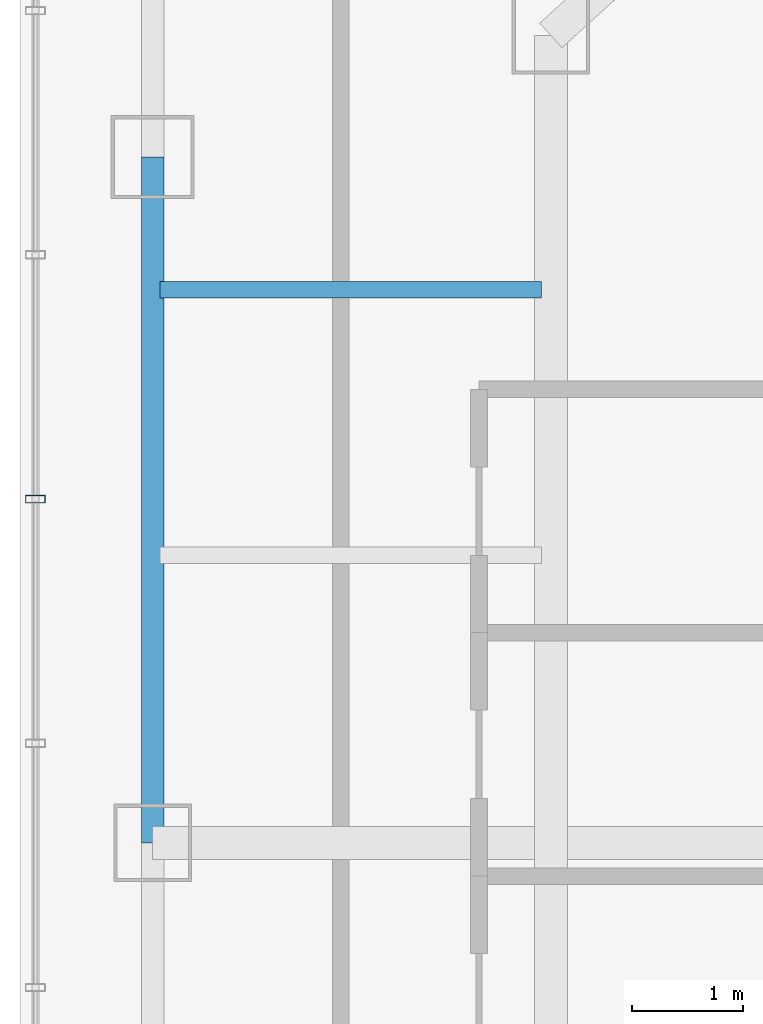
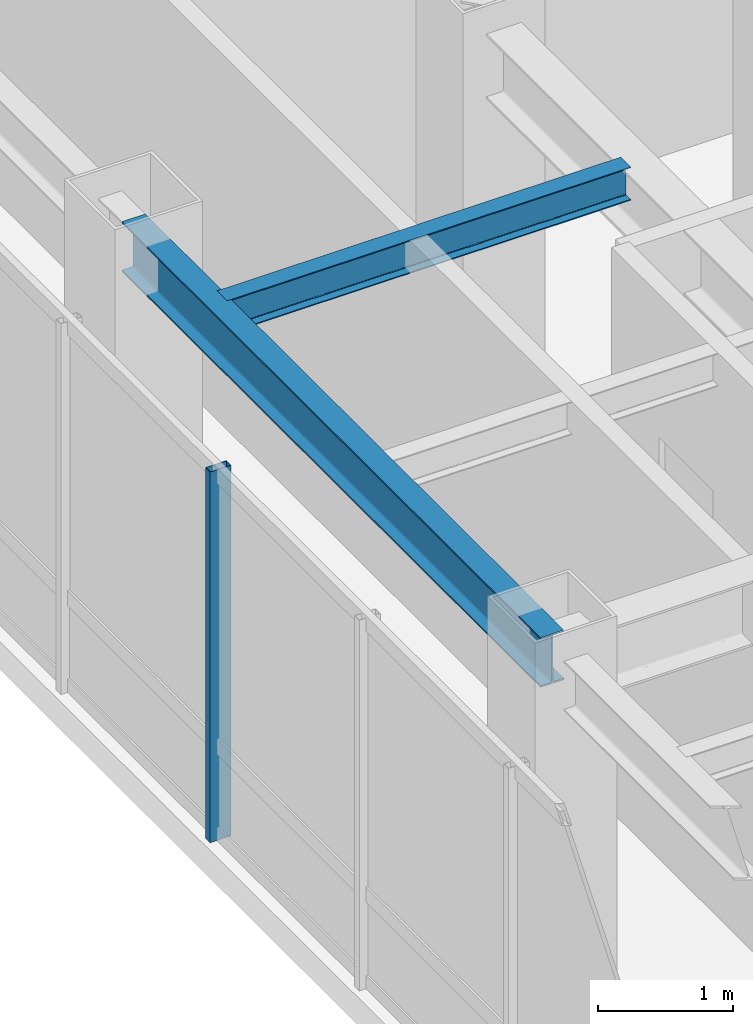
# One storey, part 8 of 25: 2 beams, 1 member, 1 element without a shape of its own.
"""IFC4 building model written with IfcOpenShell, lengths in metres."""

from ifc_helpers import new_model, si_unit, direction, frame, origin, origin_2d, place, context, subcontext, project, spatial, hollow_rectangle, i_section, extrude, material, layer, layer_set, material_profile, profile_set, type_object, element, aggregate, save


model = new_model("IFC4")

# Units and contexts
model_context = context("Model", 3, precision=1e-05, world=origin(), true_north=direction((0.0, 1.0)))
body_context = subcontext(model_context, "Body", "Model", "MODEL_VIEW")
ifc_project = project(units=[si_unit("LENGTHUNIT", "METRE"), si_unit("AREAUNIT", "SQUARE_METRE"), si_unit("VOLUMEUNIT", "CUBIC_METRE"), si_unit("PLANEANGLEUNIT", "RADIAN"), si_unit("MASSUNIT", "GRAM", prefix="KILO")], contexts=[model_context])

# Site, building, storey
site_placement = place(None, origin())
site = spatial("IfcSite", under=ifc_project, at=site_placement, CompositionType="ELEMENT")
building_placement = place(site_placement, origin())
building = spatial("IfcBuilding", under=site, at=building_placement, Name="Hatsunagi Terrace Concourse", CompositionType="ELEMENT")
storey_placement = place(building_placement, frame((0.0, 0.0, 205.949951171875)))
storey = spatial("IfcBuildingStorey", under=building, at=storey_placement, Name="L54", CompositionType="ELEMENT", Elevation=205.949951171875)

# Curtain wall, member
ifc_material_1 = material(Name="Anodised Aluminium Alloy 6063-T5", Category="aluminium")
ifc_layer = layer(ifc_material_1, 0.199951171875)
ifc_layer_set = layer_set([ifc_layer], Name="OfficeZone2_CW04")
curtain_wall_type = type_object("IfcCurtainWallType", Name="OfficeZone2_CW04", PredefinedType="NOTDEFINED", material=ifc_layer_set)
curtain_wall_placement = place(storey_placement, origin())
curtain_wall = element("IfcCurtainWall", 1, at=curtain_wall_placement, inside=storey, type_object=curtain_wall_type, Name="Unitised Curtain Wall CW-04 CW-L54-08", PredefinedType="NOTDEFINED")
ifc_material_2 = material(Name="Anodised Aluminium Alloy 6063-T5", Category="aluminium")
ifc_material_profile_1 = material_profile(ifc_material_2, hollow_rectangle(XDim=0.070068359375, YDim=0.179931640625, WallThickness=0.00390625, at=origin_2d()), Name="ALU-MUL-180x70x4")
ifc_profile_set_1 = profile_set([ifc_material_profile_1], Name="Anodised Aluminium Alloy 6063-T5")
member_type = type_object("IfcMemberType", Name="CurtainWallMullion_180x70", PredefinedType="MULLION", material=ifc_profile_set_1)
member_placement = place(storey_placement, frame((18.139892578125, 39.10791015625, 0.0), z_axis=(0.0, 0.0, 1.0), x_axis=(0.0, 1.0, 0.0)))
member = element("IfcMember", 2, at=member_placement, type_object=member_type, Name="Curtain Wall Mullion MUL-02", PredefinedType="MULLION", context=body_context, shape_type="SweptSolid", body=[
    extrude(hollow_rectangle(XDim=0.070068359375, YDim=0.179931640625, WallThickness=0.00390625, at=origin_2d()), origin(), (0.0, 0.0, 1.0), 3.35009765625),
])
aggregate(curtain_wall, [member])

# Beams
ifc_material_3 = material(Name="Steel SN490B", Category="steel")
ifc_material_profile_2 = material_profile(ifc_material_3, i_section(OverallWidth=0.14990234375, OverallDepth=0.300048828125, WebThickness=0.006591796875, FlangeThickness=0.009033203125, FilletRadius=0.010986328125, at=origin_2d()), Name="H-300x150x6.5x9")
ifc_profile_set_2 = profile_set([ifc_material_profile_2], Name="Steel SN490B")
beam_type_1 = type_object("IfcBeamType", Name="OfficeJoist_H_300x150", PredefinedType="JOIST", material=ifc_profile_set_2)
beam_1_placement = place(storey_placement, frame((19.264892578125, 41.0, 3.199951171875), z_axis=(1.0, 0.0, 0.0), x_axis=(0.0, 1.0, 0.0)))
element("IfcBeam", 3, at=beam_1_placement, inside=storey, type_object=beam_type_1, Name="Beam J-03 J-L54-W-19-410", PredefinedType="JOIST", context=body_context, shape_type="SweptSolid", body=[
    extrude(i_section(OverallWidth=0.14990234375, OverallDepth=0.300048828125, WebThickness=0.006591796875, FlangeThickness=0.009033203125, FilletRadius=0.010986328125, at=origin_2d()), origin(), (0.0, 0.0, 1.0), 3.4501953125),
])
ifc_material_4 = material(Name="Steel SN490B", Category="steel")
ifc_material_profile_3 = material_profile(ifc_material_4, i_section(OverallWidth=0.199951171875, OverallDepth=0.449951171875, WebThickness=0.009033203125, FlangeThickness=0.013916015625, FilletRadius=0.01611328125, at=origin_2d()), Name="H-450x200x9x14")
ifc_profile_set_3 = profile_set([ifc_material_profile_3], Name="Steel SN490B")
beam_type_2 = type_object("IfcBeamType", Name="PerimeterSpandrel_H_450x200", PredefinedType="SPANDREL", material=ifc_profile_set_3)
beam_2_placement = place(storey_placement, frame((19.199951171875, 36.0, 3.125), z_axis=(0.0, 1.0, 0.0), x_axis=(-1.0, 0.0, 0.0)))
element("IfcBeam", 4, at=beam_2_placement, inside=storey, type_object=beam_type_2, Name="Beam SP-02 BM-L54-NS-19-36", PredefinedType="SPANDREL", context=body_context, shape_type="SweptSolid", body=[
    extrude(i_section(OverallWidth=0.199951171875, OverallDepth=0.449951171875, WebThickness=0.009033203125, FlangeThickness=0.013916015625, FilletRadius=0.01611328125, at=origin_2d()), origin(), (0.0, 0.0, 1.0), 6.199951171875),
])

save(model, "model.ifc")
